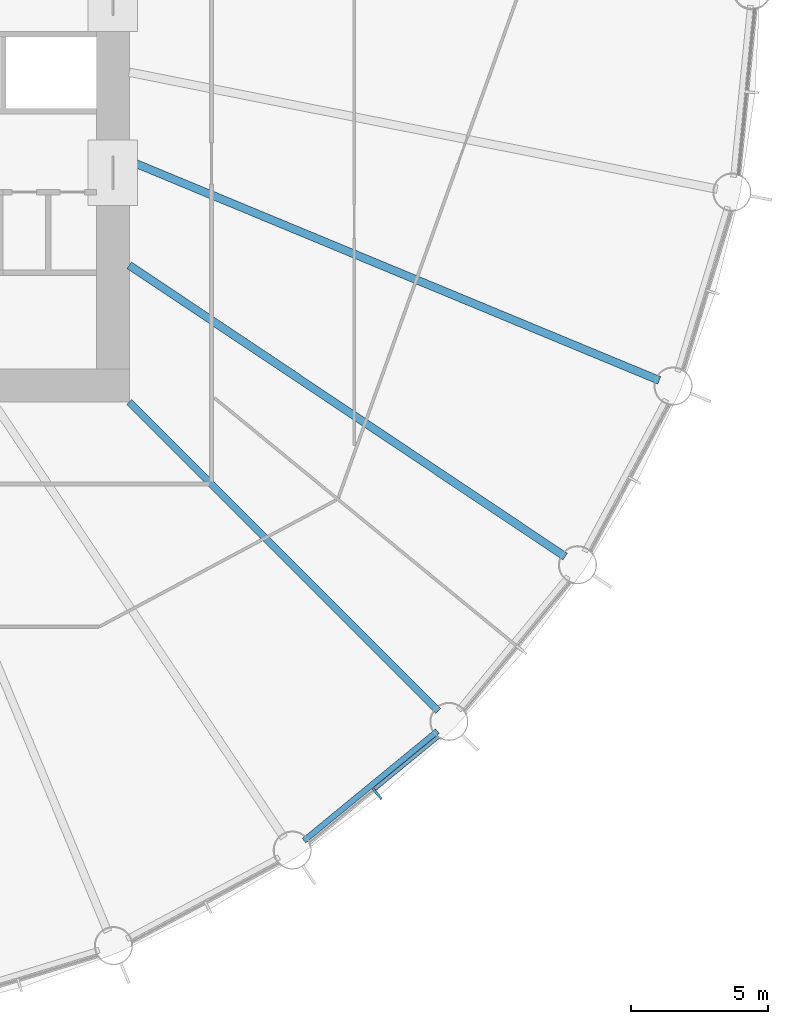
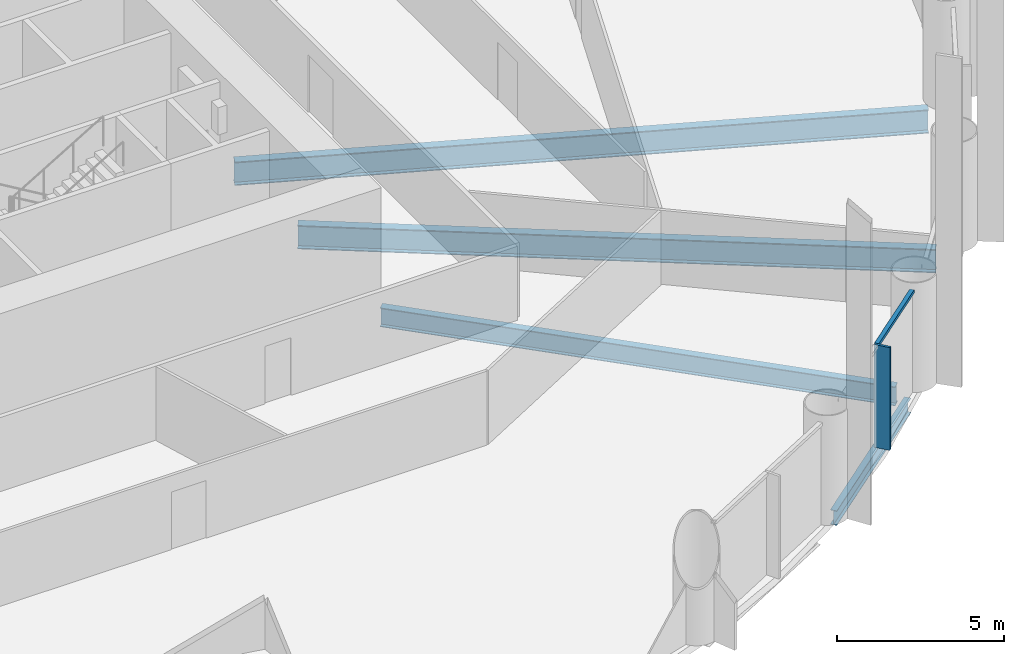
# One storey, part 3 of 15: 4 beams, 2 members, 1 element without a shape of its own.
"""IFC4 building model written with IfcOpenShell, lengths in metres."""

from ifc_helpers import new_model, si_unit, direction, frame, origin, origin_2d, place, context, subcontext, project, spatial, rectangle, i_section, extrude, material, material_profile, profile_set, type_object, element, aggregate, save


model = new_model("IFC4")

# Units and contexts
model_context = context("Model", 3, precision=1e-05, world=origin(), true_north=direction((0.0, 1.0)))
body_context = subcontext(model_context, "Body", "Model", "MODEL_VIEW")
ifc_project = project(units=[si_unit("LENGTHUNIT", "METRE"), si_unit("AREAUNIT", "SQUARE_METRE"), si_unit("VOLUMEUNIT", "CUBIC_METRE"), si_unit("PLANEANGLEUNIT", "RADIAN"), si_unit("MASSUNIT", "GRAM", prefix="KILO")], contexts=[model_context])

# Site, building, storey
site_placement = place(None, origin())
site = spatial("IfcSite", under=ifc_project, at=site_placement, CompositionType="ELEMENT")
building_placement = place(site_placement, origin())
building = spatial("IfcBuilding", under=site, at=building_placement, Name="Corvane Civic Tower", CompositionType="ELEMENT")
storey_placement = place(building_placement, frame((0.0, 0.0, 65.0)))
storey = spatial("IfcBuildingStorey", under=building, at=storey_placement, Name="L14", CompositionType="ELEMENT", Elevation=65.0)

# Beams
ifc_material_1 = material(Name="Steel ASTM A992 Gr 50", Category="steel")
ifc_material_profile_1 = material_profile(ifc_material_1, i_section(OverallWidth=0.209228515625, OverallDepth=0.533447265625, WebThickness=0.01025390625, FlangeThickness=0.015625, at=origin_2d()), Name="W21X62")
ifc_profile_set_1 = profile_set([ifc_material_profile_1], Name="Steel ASTM A992 Gr 50")
beam_type_1 = type_object("IfcBeamType", Name="EDGE BEAM W21X62", PredefinedType="BEAM", material=ifc_profile_set_1)
beam_1_placement = place(storey_placement, frame((26.23291015625, -27.0068359375, -0.566650390625), z_axis=(-0.773015785286, -0.634386787141, 0.0), x_axis=(0.634386787141, -0.773015785286, 0.0)))
element("IfcBeam", 1, at=beam_1_placement, inside=storey, type_object=beam_type_1, Name="BM-L14-E13", PredefinedType="BEAM", context=body_context, shape_type="SweptSolid", body=[
    extrude(i_section(OverallWidth=0.209228515625, OverallDepth=0.533447265625, WebThickness=0.01025390625, FlangeThickness=0.015625, at=origin_2d()), origin(), (0.0, 0.0, 1.0), 6.290771484375),
])
ifc_material_2 = material(Name="Steel ASTM A992 Gr 50", Category="steel")
ifc_material_profile_2 = material_profile(ifc_material_2, i_section(OverallWidth=0.256591796875, OverallDepth=0.693359375, WebThickness=0.014404296875, FlangeThickness=0.023681640625, at=origin_2d()), Name="W27X114")
ifc_profile_set_2 = profile_set([ifc_material_profile_2], Name="Steel ASTM A992 Gr 50")
beam_type_2 = type_object("IfcBeamType", Name="FLOOR GIRDER W27X114", PredefinedType="BEAM", material=ifc_profile_set_2)
beam_2_placement = place(storey_placement, frame((15.0, -15.0, -0.646728515625), z_axis=(0.707106781187, -0.707106781187, 0.0), x_axis=(0.707106781187, 0.707106781187, 0.0)))
element("IfcBeam", 2, at=beam_2_placement, inside=storey, type_object=beam_type_2, Name="BM-L14-G13", PredefinedType="BEAM", context=body_context, shape_type="SweptSolid", body=[
    extrude(i_section(OverallWidth=0.256591796875, OverallDepth=0.693359375, WebThickness=0.014404296875, FlangeThickness=0.023681640625, at=origin_2d()), origin(), (0.0, 0.0, 1.0), 15.936767578125),
])
ifc_material_3 = material(Name="Steel ASTM A992 Gr 50", Category="steel")
ifc_material_profile_3 = material_profile(ifc_material_3, i_section(OverallWidth=0.2919921875, OverallDepth=0.8583984375, WebThickness=0.01708984375, FlangeThickness=0.031005859375, at=origin_2d()), Name="W33X169")
ifc_profile_set_3 = profile_set([ifc_material_profile_3], Name="Steel ASTM A992 Gr 50")
beam_type_3 = type_object("IfcBeamType", Name="FLOOR GIRDER W33X169", PredefinedType="BEAM", material=ifc_profile_set_3)
beam_3_placement = place(storey_placement, frame((15.0, -6.213134765625, -0.729248046875), z_axis=(0.923875834355, -0.382692360381, 0.0), x_axis=(0.382692360381, 0.923875834355, 0.0)))
element("IfcBeam", 3, at=beam_3_placement, inside=storey, type_object=beam_type_3, Name="BM-L14-G11", PredefinedType="BEAM", context=body_context, shape_type="SweptSolid", body=[
    extrude(i_section(OverallWidth=0.2919921875, OverallDepth=0.8583984375, WebThickness=0.01708984375, FlangeThickness=0.031005859375, at=origin_2d()), origin(), (0.0, 0.0, 1.0), 20.9140625),
])
beam_4_placement = place(storey_placement, frame((15.0, -10.022705078125, -0.729248046875), z_axis=(0.831471985418, -0.555566681385, 0.0), x_axis=(0.555566681385, 0.831471985418, 0.0)))
element("IfcBeam", 4, at=beam_4_placement, inside=storey, type_object=beam_type_3, Name="BM-L14-G12", PredefinedType="BEAM", context=body_context, shape_type="SweptSolid", body=[
    extrude(i_section(OverallWidth=0.2919921875, OverallDepth=0.8583984375, WebThickness=0.01708984375, FlangeThickness=0.031005859375, at=origin_2d()), origin(), (0.0, 0.0, 1.0), 19.109619140625),
])

# Curtain wall, members
ifc_material_4 = material(Name="Anodised aluminium bronze", Category="aluminium")
curtain_wall_type = type_object("IfcCurtainWallType", Name="TOWER CW-T1 STICK CURTAIN WALL", PredefinedType="NOTDEFINED", material=ifc_material_4)
curtain_wall_placement = place(storey_placement, origin())
curtain_wall = element("IfcCurtainWall", 5, at=curtain_wall_placement, inside=storey, type_object=curtain_wall_type, Name="Curtain wall CW-T1 L14 bay 13", PredefinedType="NOTDEFINED")
ifc_material_5 = material(Name="Anodised aluminium bronze", Category="aluminium")
ifc_material_profile_4 = material_profile(ifc_material_5, rectangle(XDim=0.139892578125, YDim=0.1201171875, at=origin_2d()), Name="TOWER CW-T1 TRANSOM 140x120")
ifc_profile_set_4 = profile_set([ifc_material_profile_4], Name="Anodised aluminium bronze")
member_type_1 = type_object("IfcMemberType", Name="TOWER CW-T1 TRANSOM 140x120", PredefinedType="USERDEFINED", material=ifc_profile_set_4)
member_1_placement = place(storey_placement, frame((26.271728515625, -27.20654296875, 3.68994140625), z_axis=(-0.773001943873, -0.634403652865, 0.0), x_axis=(0.634403652865, -0.773001943873, 0.0)))
member_1 = element("IfcMember", 6, at=member_1_placement, type_object=member_type_1, Name="Transom CW-T1 L14 13.1", ObjectType="TRANSOM", PredefinedType="USERDEFINED", context=body_context, shape_type="SweptSolid", body=[
    extrude(rectangle(XDim=0.139892578125, YDim=0.1201171875, at=origin_2d()), origin(), (0.0, 0.0, 1.0), 3.008544921875),
])
ifc_material_6 = material(Name="Anodised aluminium bronze", Category="aluminium")
ifc_material_profile_5 = material_profile(ifc_material_6, rectangle(XDim=0.080078125, YDim=0.5, at=origin_2d()), Name="TOWER FIN MULLION 80x500 BRONZE")
ifc_profile_set_5 = profile_set([ifc_material_profile_5], Name="Anodised aluminium bronze")
member_type_2 = type_object("IfcMemberType", Name="TOWER FIN MULLION 80x500 BRONZE", PredefinedType="MULLION", material=ifc_profile_set_5)
member_2_placement = place(storey_placement, frame((24.0419921875, -29.295166015625, 0.0), z_axis=(0.0, 0.0, 1.0), x_axis=(-0.773007224463, -0.634397218569, 0.0)))
member_2 = element("IfcMember", 7, at=member_2_placement, type_object=member_type_2, Name="Fin mullion 13 L14", PredefinedType="MULLION", context=body_context, shape_type="SweptSolid", body=[
    extrude(rectangle(XDim=0.080078125, YDim=0.5, at=origin_2d()), origin(), (0.0, 0.0, 1.0), 3.75),
])
aggregate(curtain_wall, [member_2, member_1])

save(model, "model.ifc")
